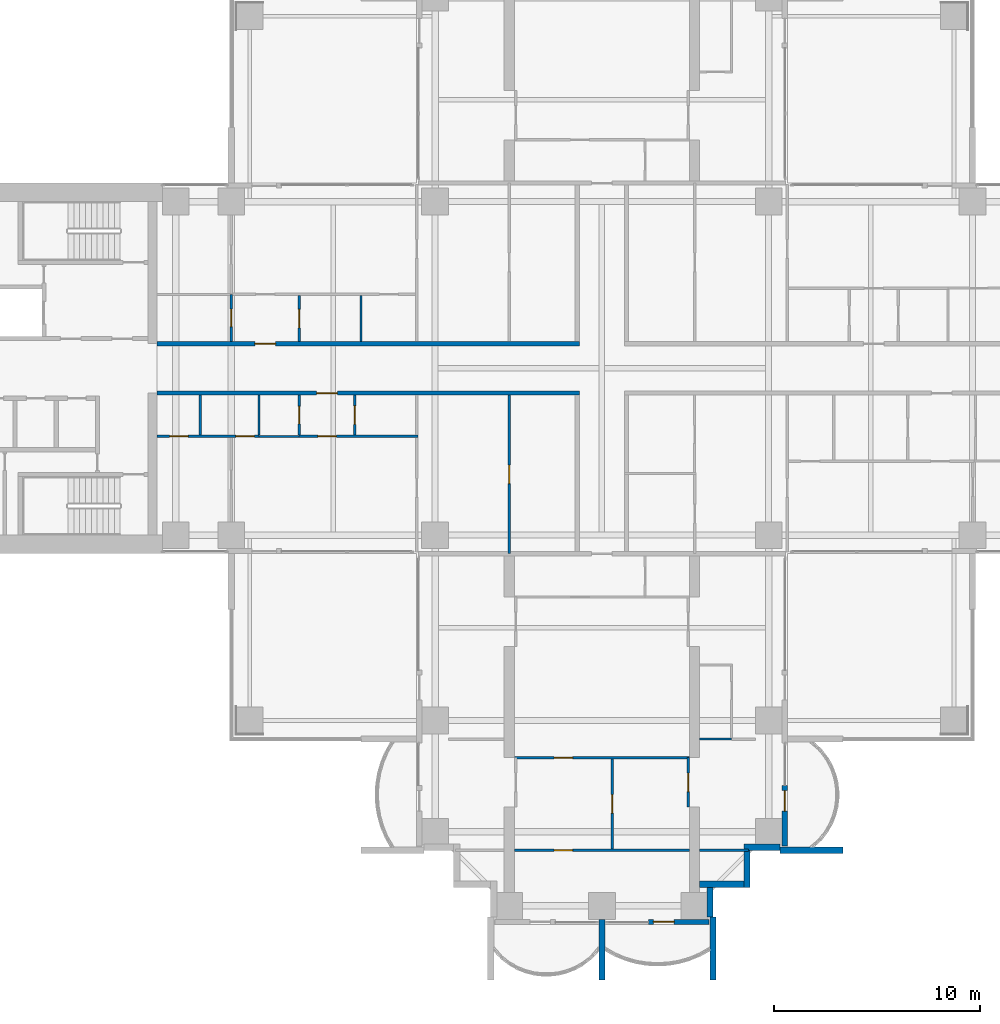
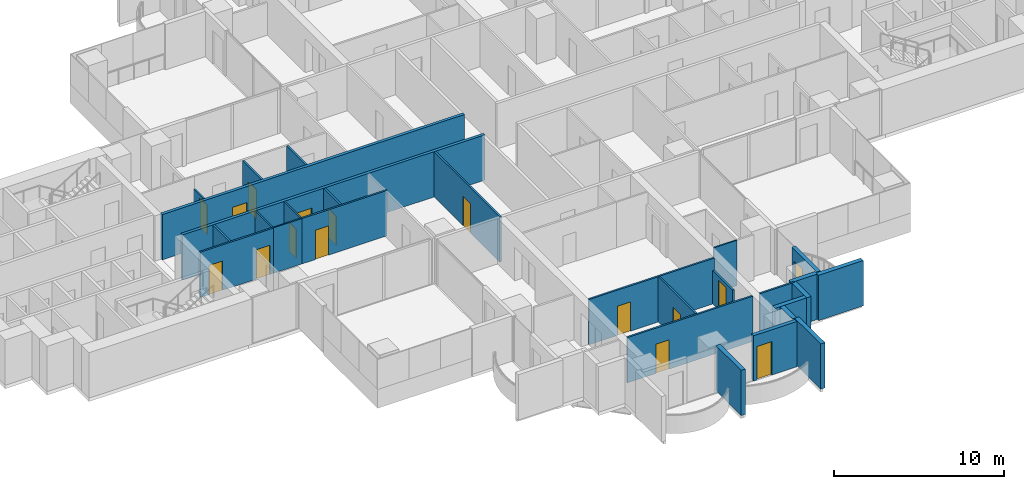
# One storey, part 11 of 20: 28 walls, 16 doors, 16 openings.
"""IFC4 building model written with IfcOpenShell, lengths in metres."""

from ifc_helpers import new_model, si_unit, direction, frame, frame_2d, origin, place, context, subcontext, project, spatial, rectangle, extrude, material, layer, layer_set, type_object, element, fill, save


model = new_model("IFC4")

# Units and contexts
model_context = context("Model", 3, precision=1e-05, world=origin(), true_north=direction((0.0, 1.0)))
body_context = subcontext(model_context, "Body", "Model", "MODEL_VIEW")
ifc_project = project(units=[si_unit("LENGTHUNIT", "METRE"), si_unit("AREAUNIT", "SQUARE_METRE"), si_unit("VOLUMEUNIT", "CUBIC_METRE"), si_unit("PLANEANGLEUNIT", "RADIAN"), si_unit("MASSUNIT", "GRAM", prefix="KILO")], contexts=[model_context])

# Site, building, storey
site_placement = place(None, origin())
site = spatial("IfcSite", under=ifc_project, at=site_placement, CompositionType="ELEMENT")
building_placement = place(site_placement, origin())
building = spatial("IfcBuilding", under=site, at=building_placement, Name="Perihelion Cross Residences", CompositionType="ELEMENT")
storey_placement = place(building_placement, frame((0.0, 0.0, 78.5)))
storey = spatial("IfcBuildingStorey", under=building, at=storey_placement, Name="L17", CompositionType="ELEMENT", Elevation=78.5)

# Wall, opening, door
ifc_material_1 = material(Name="Plasterboard partition")
ifc_layer_1 = layer(ifc_material_1, 0.199951171875)
ifc_layer_set_1 = layer_set([ifc_layer_1], Name="Apartment separation wall 200")
wall_type_1 = type_object("IfcWallType", Name="Apartment separation wall 200", PredefinedType="PARTITIONING", material=ifc_layer_set_1)
wall_1_placement = place(storey_placement, frame((-21.60009765625, 1.199951171875, 0.0), z_axis=(0.0, 0.0, 1.0), x_axis=(1.0, 0.0, 0.0)))
wall_1 = element("IfcWall", 1, at=wall_1_placement, inside=storey, type_object=wall_type_1, Name="Partition L17 W005", PredefinedType="PARTITIONING", context=body_context, shape_type="SweptSolid", body=[
    extrude(rectangle(XDim=20.5, YDim=0.199951171875, at=frame_2d((10.25, 0.0))), origin(), (0.0, 0.0, 1.0), 3.25),
])
opening_1_placement = place(wall_1_placement, frame((4.75, 0.0, 0.0)))
opening_1 = element("IfcOpeningElement", 2, at=opening_1_placement, cuts=wall_1, Name="Opening L17.A47", PredefinedType="OPENING", context=body_context, shape_type="SweptSolid", body=[
    extrude(rectangle(XDim=1.0, YDim=2.10009765625, at=frame_2d((0.5, 1.050048828125))), frame((0.0, 0.10986328125, 0.0), z_axis=(0.0, -1.0, 0.0), x_axis=(1.0, 0.0, 0.0)), (0.0, 0.0, 1.0), 0.219970703125),
])
ifc_material_2 = material(Name="Timber door leaf", Category="wood")
door_type_1 = type_object("IfcDoorType", Name="Flat entrance door 1000 x 2100", OperationType="SINGLE_SWING_LEFT", PredefinedType="DOOR", material=ifc_material_2)
door_1_placement = place(opening_1_placement, origin())
door_1 = element("IfcDoor", 3, at=door_1_placement, inside=storey, type_object=door_type_1, Name="Door L17.A47", OperationType="SINGLE_SWING_LEFT", OverallHeight=2.10009765625, OverallWidth=1.0, PredefinedType="DOOR", context=body_context, shape_type="SweptSolid", body=[
    extrude(rectangle(XDim=1.0, YDim=2.10009765625, at=frame_2d((0.5, 1.050048828125))), frame((0.0, 0.02490234375, 0.0), z_axis=(0.0, -1.0, 0.0), x_axis=(1.0, 0.0, 0.0)), (0.0, 0.0, 1.0), 0.050048828125),
])
fill(opening_1, door_1)

wall_2_placement = place(storey_placement, frame((-1.10009765625, -1.199951171875, 0.0), z_axis=(0.0, 0.0, 1.0), x_axis=(-1.0, 0.0, 0.0)))
wall_2 = element("IfcWall", 4, at=wall_2_placement, inside=storey, type_object=wall_type_1, Name="Partition L17 W007", PredefinedType="PARTITIONING", context=body_context, shape_type="SweptSolid", body=[
    extrude(rectangle(XDim=20.5, YDim=0.199951171875, at=frame_2d((10.25, 0.0))), origin(), (0.0, 0.0, 1.0), 3.25),
])
opening_2_placement = place(wall_2_placement, frame((11.75, 0.0, 0.0)))
opening_2 = element("IfcOpeningElement", 5, at=opening_2_placement, cuts=wall_2, Name="Opening L17.A48", PredefinedType="OPENING", context=body_context, shape_type="SweptSolid", body=[
    extrude(rectangle(XDim=1.0, YDim=2.10009765625, at=frame_2d((0.5, 1.050048828125))), frame((0.0, 0.10986328125, 0.0), z_axis=(0.0, -1.0, 0.0), x_axis=(1.0, 0.0, 0.0)), (0.0, 0.0, 1.0), 0.219970703125),
])
door_2_placement = place(opening_2_placement, origin())
door_2 = element("IfcDoor", 6, at=door_2_placement, inside=storey, type_object=door_type_1, Name="Door L17.A48", OperationType="SINGLE_SWING_RIGHT", OverallHeight=2.10009765625, OverallWidth=1.0, PredefinedType="DOOR", context=body_context, shape_type="SweptSolid", body=[
    extrude(rectangle(XDim=1.0, YDim=2.10009765625, at=frame_2d((0.5, 1.050048828125))), frame((0.0, 0.02490234375, 0.0), z_axis=(0.0, -1.0, 0.0), x_axis=(1.0, 0.0, 0.0)), (0.0, 0.0, 1.0), 0.050048828125),
])
fill(opening_2, door_2)

ifc_material_3 = material(Name="Concrete C30/37, bronze-clad", Category="concrete")
ifc_layer_2 = layer(ifc_material_3, 0.25)
ifc_layer_set_2 = layer_set([ifc_layer_2], Name="Bronze-clad pier wall 250")
wall_type_2 = type_object("IfcWallType", Name="Bronze-clad pier wall 250", PredefinedType="SOLIDWALL", material=ifc_layer_set_2)
wall_3_placement = place(storey_placement, frame((2.25, -26.875, 0.0), z_axis=(0.0, 0.0, 1.0), x_axis=(1.0, 0.0, 0.0)))
wall_3 = element("IfcWall", 7, at=wall_3_placement, inside=storey, type_object=wall_type_2, Name="Wall FW1 L17 south tip south bay 2 pier", PredefinedType="SOLIDWALL", context=body_context, shape_type="SweptSolid", body=[
    extrude(rectangle(XDim=2.949951171875, YDim=0.25, at=frame_2d((1.47509765625, 0.0))), origin(), (0.0, 0.0, 1.0), 3.25),
])
opening_3_placement = place(wall_3_placement, frame((0.25, 0.0, 0.0)))
opening_3 = element("IfcOpeningElement", 8, at=opening_3_placement, cuts=wall_3, Name="Opening L17.E13", PredefinedType="OPENING", context=body_context, shape_type="SweptSolid", body=[
    extrude(rectangle(XDim=1.0, YDim=2.39990234375, at=frame_2d((0.5, 1.199951171875))), frame((0.0, 0.135009765625, 0.0), z_axis=(0.0, -1.0, 0.0), x_axis=(1.0, 0.0, 0.0)), (0.0, 0.0, 1.0), 0.27001953125),
])
ifc_material_4 = material(Name="Bronze anodised aluminium, glazed", Category="aluminium")
door_type_2 = type_object("IfcDoorType", Name="Balcony door 1000 x 2400", OperationType="NOTDEFINED", PredefinedType="DOOR", material=ifc_material_4)
door_3_placement = place(opening_3_placement, origin())
door_3 = element("IfcDoor", 9, at=door_3_placement, inside=storey, type_object=door_type_2, Name="Door L17.E13 south tip south bay 2", OperationType="SINGLE_SWING_RIGHT", OverallHeight=2.39990234375, OverallWidth=1.0, PredefinedType="DOOR", context=body_context, shape_type="SweptSolid", body=[
    extrude(rectangle(XDim=1.0, YDim=2.39990234375, at=frame_2d((0.5, 1.199951171875))), frame((0.0, 0.02490234375, 0.0), z_axis=(0.0, -1.0, 0.0), x_axis=(1.0, 0.0, 0.0)), (0.0, 0.0, 1.0), 0.050048828125),
])
fill(opening_3, door_3)

wall_4_placement = place(storey_placement, frame((8.875, -23.199951171875, 0.0), z_axis=(0.0, 0.0, 1.0), x_axis=(0.0, 1.0, 0.0)))
wall_4 = element("IfcWall", 10, at=wall_4_placement, inside=storey, type_object=wall_type_2, Name="Wall FW1 L17 south side east bay 1 pier", PredefinedType="SOLIDWALL", context=body_context, shape_type="SweptSolid", body=[
    extrude(rectangle(XDim=2.949951171875, YDim=0.25, at=frame_2d((1.47509765625, 0.0))), origin(), (0.0, 0.0, 1.0), 3.25),
])
opening_4_placement = place(wall_4_placement, frame((1.699951171875, 0.0, 0.0)))
opening_4 = element("IfcOpeningElement", 11, at=opening_4_placement, cuts=wall_4, Name="Opening L17.E14", PredefinedType="OPENING", context=body_context, shape_type="SweptSolid", body=[
    extrude(rectangle(XDim=1.0, YDim=2.39990234375, at=frame_2d((0.5, 1.199951171875))), frame((0.0, 0.135009765625, 0.0), z_axis=(0.0, -1.0, 0.0), x_axis=(1.0, 0.0, 0.0)), (0.0, 0.0, 1.0), 0.27001953125),
])
door_4_placement = place(opening_4_placement, origin())
door_4 = element("IfcDoor", 12, at=door_4_placement, inside=storey, type_object=door_type_2, Name="Door L17.E14 south side east bay 1", OperationType="SINGLE_SWING_LEFT", OverallHeight=2.39990234375, OverallWidth=1.0, PredefinedType="DOOR", context=body_context, shape_type="SweptSolid", body=[
    extrude(rectangle(XDim=1.0, YDim=2.39990234375, at=frame_2d((0.5, 1.199951171875))), frame((0.0, 0.02490234375, 0.0), z_axis=(0.0, -1.0, 0.0), x_axis=(1.0, 0.0, 0.0)), (0.0, 0.0, 1.0), 0.050048828125),
])
fill(opening_4, door_4)

# Walls
ifc_material_5 = material(Name="Concrete C30/37, bronze-clad", Category="concrete")
ifc_layer_3 = layer(ifc_material_5, 0.300048828125)
ifc_layer_set_3 = layer_set([ifc_layer_3], Name="Bronze-clad serration wall 300")
wall_type_3 = type_object("IfcWallType", Name="Bronze-clad serration wall 300", PredefinedType="SOLIDWALL", material=ifc_layer_set_3)
wall_5_placement = place(storey_placement, frame((5.25, -26.64990234375, 0.0), z_axis=(0.0, 0.0, 1.0), x_axis=(0.0, 1.0, 0.0)))
element("IfcWall", 13, at=wall_5_placement, inside=storey, type_object=wall_type_3, Name="Wall SR1 L17 south corner south-east 1", PredefinedType="SOLIDWALL", context=body_context, shape_type="SweptSolid", body=[
    extrude(rectangle(XDim=1.449951171875, YDim=0.300048828125, at=frame_2d((0.72509765625, 0.0))), origin(), (0.0, 0.0, 1.0), 3.25),
])
wall_6_placement = place(storey_placement, frame((4.75, -25.050048828125, 0.0), z_axis=(0.0, 0.0, 1.0), x_axis=(1.0, 0.0, 0.0)))
element("IfcWall", 14, at=wall_6_placement, inside=storey, type_object=wall_type_3, Name="Wall SR1 L17 south corner south-east 2", PredefinedType="SOLIDWALL", context=body_context, shape_type="SweptSolid", body=[
    extrude(rectangle(XDim=2.14990234375, YDim=0.300048828125, at=frame_2d((1.074951171875, 0.0))), origin(), (0.0, 0.0, 1.0), 3.25),
])
wall_7_placement = place(storey_placement, frame((7.050048828125, -25.199951171875, 0.0), z_axis=(0.0, 0.0, 1.0), x_axis=(0.0, 1.0, 0.0)))
element("IfcWall", 15, at=wall_7_placement, inside=storey, type_object=wall_type_3, Name="Wall SR1 L17 south corner south-east 3", PredefinedType="SOLIDWALL", context=body_context, shape_type="SweptSolid", body=[
    extrude(rectangle(XDim=1.800048828125, YDim=0.300048828125, at=frame_2d((0.89990234375, 0.0))), origin(), (0.0, 0.0, 1.0), 3.25),
])
wall_8_placement = place(storey_placement, frame((6.89990234375, -23.25, 0.0), z_axis=(0.0, 0.0, 1.0), x_axis=(1.0, 0.0, 0.0)))
element("IfcWall", 16, at=wall_8_placement, inside=storey, type_object=wall_type_3, Name="Wall SR1 L17 south corner south-east 4", PredefinedType="SOLIDWALL", context=body_context, shape_type="SweptSolid", body=[
    extrude(rectangle(XDim=1.75, YDim=0.300048828125, at=frame_2d((0.875, 0.0))), origin(), (0.0, 0.0, 1.0), 3.25),
])

# Wall, opening, door
ifc_material_6 = material(Name="Plasterboard partition")
ifc_layer_4 = layer(ifc_material_6, 0.1201171875)
ifc_layer_set_4 = layer_set([ifc_layer_4], Name="Infill panel 120")
wall_type_4 = type_object("IfcWallType", Name="Infill panel 120", PredefinedType="PARTITIONING", material=ifc_layer_set_4)
wall_9_placement = place(storey_placement, frame((4.18994140625, -18.89990234375, 0.0), z_axis=(0.0, 0.0, 1.0), x_axis=(0.0, -1.0, 0.0)))
wall_9 = element("IfcWall", 17, at=wall_9_placement, inside=storey, type_object=wall_type_4, Name="Partition L17 WI06", PredefinedType="PARTITIONING", context=body_context, shape_type="SweptSolid", body=[
    extrude(rectangle(XDim=2.400146484375, YDim=0.1201171875, at=frame_2d((1.2001953125, 0.0))), origin(), (0.0, 0.0, 1.0), 2.39990234375),
])
opening_5_placement = place(wall_9_placement, frame((0.75, 0.0, 0.0)))
opening_5 = element("IfcOpeningElement", 18, at=opening_5_placement, cuts=wall_9, Name="Opening L17.A54", PredefinedType="OPENING", context=body_context, shape_type="SweptSolid", body=[
    extrude(rectangle(XDim=0.89990234375, YDim=2.10009765625, at=frame_2d((0.449951171875, 1.050048828125))), frame((0.0, 0.070068359375, 0.0), z_axis=(0.0, -1.0, 0.0), x_axis=(1.0, 0.0, 0.0)), (0.0, 0.0, 1.0), 0.14013671875),
])
ifc_material_7 = material(Name="Timber door leaf", Category="wood")
door_type_3 = type_object("IfcDoorType", Name="Interior room door 900 x 2100", OperationType="SINGLE_SWING_LEFT", PredefinedType="DOOR", material=ifc_material_7)
door_5_placement = place(opening_5_placement, origin())
door_5 = element("IfcDoor", 19, at=door_5_placement, inside=storey, type_object=door_type_3, Name="Door L17.A54", OperationType="SINGLE_SWING_LEFT", OverallHeight=2.10009765625, OverallWidth=0.89990234375, PredefinedType="DOOR", context=body_context, shape_type="SweptSolid", body=[
    extrude(rectangle(XDim=0.89990234375, YDim=2.10009765625, at=frame_2d((0.449951171875, 1.050048828125))), frame((0.0, 0.02490234375, 0.0), z_axis=(0.0, -1.0, 0.0), x_axis=(1.0, 0.0, 0.0)), (0.0, 0.0, 1.0), 0.050048828125),
])
fill(opening_5, door_5)

# Wall
ifc_material_8 = material(Name="Plasterboard partition")
ifc_layer_5 = layer(ifc_material_8, 0.1201171875)
ifc_layer_set_5 = layer_set([ifc_layer_5], Name="Partition wall 120")
wall_type_5 = type_object("IfcWallType", Name="Partition wall 120", PredefinedType="PARTITIONING", material=ifc_layer_set_5)
wall_10_placement = place(storey_placement, frame((-11.699951171875, 1.300048828125, 0.0), z_axis=(0.0, 0.0, 1.0), x_axis=(0.0, 1.0, 0.0)))
element("IfcWall", 20, at=wall_10_placement, inside=storey, type_object=wall_type_5, Name="Partition L17 W030", PredefinedType="PARTITIONING", context=body_context, shape_type="SweptSolid", body=[
    extrude(rectangle(XDim=2.239990234375, YDim=0.1201171875, at=frame_2d((1.1201171875, 0.0))), origin(), (0.0, 0.0, 1.0), 3.25),
])

# Wall, opening, door
wall_11_placement = place(storey_placement, frame((-14.699951171875, 1.300048828125, 0.0), z_axis=(0.0, 0.0, 1.0), x_axis=(0.0, 1.0, 0.0)))
wall_11 = element("IfcWall", 21, at=wall_11_placement, inside=storey, type_object=wall_type_5, Name="Partition L17 W033", PredefinedType="PARTITIONING", context=body_context, shape_type="SweptSolid", body=[
    extrude(rectangle(XDim=2.239990234375, YDim=0.1201171875, at=frame_2d((1.1201171875, 0.0))), origin(), (0.0, 0.0, 1.0), 3.25),
])
opening_6_placement = place(wall_11_placement, frame((0.669921875, 0.0, 0.0)))
opening_6 = element("IfcOpeningElement", 22, at=opening_6_placement, cuts=wall_11, Name="Opening L17.A17", PredefinedType="OPENING", context=body_context, shape_type="SweptSolid", body=[
    extrude(rectangle(XDim=0.89990234375, YDim=2.10009765625, at=frame_2d((0.449951171875, 1.050048828125))), frame((0.0, 0.070068359375, 0.0), z_axis=(0.0, -1.0, 0.0), x_axis=(1.0, 0.0, 0.0)), (0.0, 0.0, 1.0), 0.14013671875),
])
door_6_placement = place(opening_6_placement, origin())
door_6 = element("IfcDoor", 23, at=door_6_placement, inside=storey, type_object=door_type_3, Name="Door L17.A17", OperationType="SINGLE_SWING_LEFT", OverallHeight=2.10009765625, OverallWidth=0.89990234375, PredefinedType="DOOR", context=body_context, shape_type="SweptSolid", body=[
    extrude(rectangle(XDim=0.89990234375, YDim=2.10009765625, at=frame_2d((0.449951171875, 1.050048828125))), frame((0.0, 0.02490234375, 0.0), z_axis=(0.0, -1.0, 0.0), x_axis=(1.0, 0.0, 0.0)), (0.0, 0.0, 1.0), 0.050048828125),
])
fill(opening_6, door_6)

wall_12_placement = place(storey_placement, frame((-12.0, -3.239990234375, 0.0), z_axis=(0.0, 0.0, 1.0), x_axis=(0.0, 1.0, 0.0)))
wall_12 = element("IfcWall", 24, at=wall_12_placement, inside=storey, type_object=wall_type_5, Name="Partition L17 W038", PredefinedType="PARTITIONING", context=body_context, shape_type="SweptSolid", body=[
    extrude(rectangle(XDim=1.93994140625, YDim=0.1201171875, at=frame_2d((0.969970703125, 0.0))), origin(), (0.0, 0.0, 1.0), 3.25),
])
opening_7_placement = place(wall_12_placement, frame((0.52001953125, 0.0, 0.0)))
opening_7 = element("IfcOpeningElement", 25, at=opening_7_placement, cuts=wall_12, Name="Opening L17.A24", PredefinedType="OPENING", context=body_context, shape_type="SweptSolid", body=[
    extrude(rectangle(XDim=0.89990234375, YDim=2.10009765625, at=frame_2d((0.449951171875, 1.050048828125))), frame((0.0, 0.070068359375, 0.0), z_axis=(0.0, -1.0, 0.0), x_axis=(1.0, 0.0, 0.0)), (0.0, 0.0, 1.0), 0.14013671875),
])
door_7_placement = place(opening_7_placement, origin())
door_7 = element("IfcDoor", 26, at=door_7_placement, inside=storey, type_object=door_type_3, Name="Door L17.A24", OperationType="SINGLE_SWING_RIGHT", OverallHeight=2.10009765625, OverallWidth=0.89990234375, PredefinedType="DOOR", context=body_context, shape_type="SweptSolid", body=[
    extrude(rectangle(XDim=0.89990234375, YDim=2.10009765625, at=frame_2d((0.449951171875, 1.050048828125))), frame((0.0, 0.02490234375, 0.0), z_axis=(0.0, -1.0, 0.0), x_axis=(1.0, 0.0, 0.0)), (0.0, 0.0, 1.0), 0.050048828125),
])
fill(opening_7, door_7)

wall_13_placement = place(storey_placement, frame((-8.93994140625, -3.300048828125, 0.0), z_axis=(0.0, 0.0, 1.0), x_axis=(-1.0, 0.0, 0.0)))
wall_13 = element("IfcWall", 27, at=wall_13_placement, inside=storey, type_object=wall_type_5, Name="Partition L17 W039", PredefinedType="PARTITIONING", context=body_context, shape_type="SweptSolid", body=[
    extrude(rectangle(XDim=5.760009765625, YDim=0.1201171875, at=frame_2d((2.8798828125, 0.0))), origin(), (0.0, 0.0, 1.0), 3.25),
])
opening_8_placement = place(wall_13_placement, frame((3.9599609375, 0.0, 0.0)))
opening_8 = element("IfcOpeningElement", 28, at=opening_8_placement, cuts=wall_13, Name="Opening L17.A26", PredefinedType="OPENING", context=body_context, shape_type="SweptSolid", body=[
    extrude(rectangle(XDim=0.89990234375, YDim=2.10009765625, at=frame_2d((0.449951171875, 1.050048828125))), frame((0.0, 0.070068359375, 0.0), z_axis=(0.0, -1.0, 0.0), x_axis=(1.0, 0.0, 0.0)), (0.0, 0.0, 1.0), 0.14013671875),
])
door_8_placement = place(opening_8_placement, origin())
door_8 = element("IfcDoor", 29, at=door_8_placement, inside=storey, type_object=door_type_3, Name="Door L17.A26", OperationType="SINGLE_SWING_RIGHT", OverallHeight=2.10009765625, OverallWidth=0.89990234375, PredefinedType="DOOR", context=body_context, shape_type="SweptSolid", body=[
    extrude(rectangle(XDim=0.89990234375, YDim=2.10009765625, at=frame_2d((0.449951171875, 1.050048828125))), frame((0.0, 0.02490234375, 0.0), z_axis=(0.0, -1.0, 0.0), x_axis=(1.0, 0.0, 0.0)), (0.0, 0.0, 1.0), 0.050048828125),
])
fill(opening_8, door_8)

# Wall
wall_14_placement = place(storey_placement, frame((-19.5, -3.239990234375, 0.0), z_axis=(0.0, 0.0, 1.0), x_axis=(0.0, 1.0, 0.0)))
element("IfcWall", 30, at=wall_14_placement, inside=storey, type_object=wall_type_5, Name="Partition L17 W044", PredefinedType="PARTITIONING", context=body_context, shape_type="SweptSolid", body=[
    extrude(rectangle(XDim=1.93994140625, YDim=0.1201171875, at=frame_2d((0.969970703125, 0.0))), origin(), (0.0, 0.0, 1.0), 3.25),
])

# Wall, openings, doors
wall_15_placement = place(storey_placement, frame((-16.64990234375, -3.300048828125, 0.0), z_axis=(0.0, 0.0, 1.0), x_axis=(-1.0, 0.0, 0.0)))
wall_15 = element("IfcWall", 31, at=wall_15_placement, inside=storey, type_object=wall_type_5, Name="Partition L17 W045", PredefinedType="PARTITIONING", context=body_context, shape_type="SweptSolid", body=[
    extrude(rectangle(XDim=4.9501953125, YDim=0.1201171875, at=frame_2d((2.47509765625, 0.0))), origin(), (0.0, 0.0, 1.0), 3.25),
])
opening_9_placement = place(wall_15_placement, frame((0.22509765625, 0.0, 0.0)))
opening_9 = element("IfcOpeningElement", 32, at=opening_9_placement, cuts=wall_15, Name="Opening L17.A25", PredefinedType="OPENING", context=body_context, shape_type="SweptSolid", body=[
    extrude(rectangle(XDim=0.89990234375, YDim=2.10009765625, at=frame_2d((0.449951171875, 1.050048828125))), frame((0.0, 0.070068359375, 0.0), z_axis=(0.0, -1.0, 0.0), x_axis=(1.0, 0.0, 0.0)), (0.0, 0.0, 1.0), 0.14013671875),
])
opening_10_placement = place(wall_15_placement, frame((3.449951171875, 0.0, 0.0)))
opening_10 = element("IfcOpeningElement", 33, at=opening_10_placement, cuts=wall_15, Name="Opening L17.A28", PredefinedType="OPENING", context=body_context, shape_type="SweptSolid", body=[
    extrude(rectangle(XDim=0.89990234375, YDim=2.10009765625, at=frame_2d((0.449951171875, 1.050048828125))), frame((0.0, 0.070068359375, 0.0), z_axis=(0.0, -1.0, 0.0), x_axis=(1.0, 0.0, 0.0)), (0.0, 0.0, 1.0), 0.14013671875),
])
door_9_placement = place(opening_9_placement, origin())
door_9 = element("IfcDoor", 34, at=door_9_placement, inside=storey, type_object=door_type_3, Name="Door L17.A25", OperationType="SINGLE_SWING_RIGHT", OverallHeight=2.10009765625, OverallWidth=0.89990234375, PredefinedType="DOOR", context=body_context, shape_type="SweptSolid", body=[
    extrude(rectangle(XDim=0.89990234375, YDim=2.10009765625, at=frame_2d((0.449951171875, 1.050048828125))), frame((0.0, 0.02490234375, 0.0), z_axis=(0.0, -1.0, 0.0), x_axis=(1.0, 0.0, 0.0)), (0.0, 0.0, 1.0), 0.050048828125),
])
fill(opening_9, door_9)
door_10_placement = place(opening_10_placement, origin())
door_10 = element("IfcDoor", 35, at=door_10_placement, inside=storey, type_object=door_type_3, Name="Door L17.A28", OperationType="SINGLE_SWING_LEFT", OverallHeight=2.10009765625, OverallWidth=0.89990234375, PredefinedType="DOOR", context=body_context, shape_type="SweptSolid", body=[
    extrude(rectangle(XDim=0.89990234375, YDim=2.10009765625, at=frame_2d((0.449951171875, 1.050048828125))), frame((0.0, 0.02490234375, 0.0), z_axis=(0.0, -1.0, 0.0), x_axis=(1.0, 0.0, 0.0)), (0.0, 0.0, 1.0), 0.050048828125),
])
fill(opening_10, door_10)

# Wall, opening, door
wall_16_placement = place(storey_placement, frame((-4.5, -1.300048828125, 0.0), z_axis=(0.0, 0.0, 1.0), x_axis=(0.0, -1.0, 0.0)))
wall_16 = element("IfcWall", 36, at=wall_16_placement, inside=storey, type_object=wall_type_5, Name="Partition L17 W047", PredefinedType="PARTITIONING", context=body_context, shape_type="SweptSolid", body=[
    extrude(rectangle(XDim=7.699951171875, YDim=0.1201171875, at=frame_2d((3.85009765625, 0.0))), origin(), (0.0, 0.0, 1.0), 3.25),
])
opening_11_placement = place(wall_16_placement, frame((3.39990234375, 0.0, 0.0)))
opening_11 = element("IfcOpeningElement", 37, at=opening_11_placement, cuts=wall_16, Name="Opening L17.A23", PredefinedType="OPENING", context=body_context, shape_type="SweptSolid", body=[
    extrude(rectangle(XDim=0.89990234375, YDim=2.10009765625, at=frame_2d((0.449951171875, 1.050048828125))), frame((0.0, 0.070068359375, 0.0), z_axis=(0.0, -1.0, 0.0), x_axis=(1.0, 0.0, 0.0)), (0.0, 0.0, 1.0), 0.14013671875),
])
door_11_placement = place(opening_11_placement, origin())
door_11 = element("IfcDoor", 38, at=door_11_placement, inside=storey, type_object=door_type_3, Name="Door L17.A23", OperationType="SINGLE_SWING_RIGHT", OverallHeight=2.10009765625, OverallWidth=0.89990234375, PredefinedType="DOOR", context=body_context, shape_type="SweptSolid", body=[
    extrude(rectangle(XDim=0.89990234375, YDim=2.10009765625, at=frame_2d((0.449951171875, 1.050048828125))), frame((0.0, 0.02490234375, 0.0), z_axis=(0.0, -1.0, 0.0), x_axis=(1.0, 0.0, 0.0)), (0.0, 0.0, 1.0), 0.050048828125),
])
fill(opening_11, door_11)

wall_17_placement = place(storey_placement, frame((4.25, -18.89990234375, 0.0), z_axis=(0.0, 0.0, 1.0), x_axis=(-1.0, 0.0, 0.0)))
wall_17 = element("IfcWall", 39, at=wall_17_placement, inside=storey, type_object=wall_type_5, Name="Partition L17 W064", PredefinedType="PARTITIONING", context=body_context, shape_type="SweptSolid", body=[
    extrude(rectangle(XDim=8.5, YDim=0.1201171875, at=frame_2d((4.25, 0.0))), origin(), (0.0, 0.0, 1.0), 3.25),
])
opening_12_placement = place(wall_17_placement, frame((5.675048828125, 0.0, 0.0)))
opening_12 = element("IfcOpeningElement", 40, at=opening_12_placement, cuts=wall_17, Name="Opening L17.A41", PredefinedType="OPENING", context=body_context, shape_type="SweptSolid", body=[
    extrude(rectangle(XDim=0.89990234375, YDim=2.10009765625, at=frame_2d((0.449951171875, 1.050048828125))), frame((0.0, 0.070068359375, 0.0), z_axis=(0.0, -1.0, 0.0), x_axis=(1.0, 0.0, 0.0)), (0.0, 0.0, 1.0), 0.14013671875),
])
door_12_placement = place(opening_12_placement, origin())
door_12 = element("IfcDoor", 41, at=door_12_placement, inside=storey, type_object=door_type_3, Name="Door L17.A41", OperationType="SINGLE_SWING_RIGHT", OverallHeight=2.10009765625, OverallWidth=0.89990234375, PredefinedType="DOOR", context=body_context, shape_type="SweptSolid", body=[
    extrude(rectangle(XDim=0.89990234375, YDim=2.10009765625, at=frame_2d((0.449951171875, 1.050048828125))), frame((0.0, 0.02490234375, 0.0), z_axis=(0.0, -1.0, 0.0), x_axis=(1.0, 0.0, 0.0)), (0.0, 0.0, 1.0), 0.050048828125),
])
fill(opening_12, door_12)

wall_18_placement = place(storey_placement, frame((0.5, -18.9599609375, 0.0), z_axis=(0.0, 0.0, 1.0), x_axis=(0.0, -1.0, 0.0)))
wall_18 = element("IfcWall", 42, at=wall_18_placement, inside=storey, type_object=wall_type_5, Name="Partition L17 W065", PredefinedType="PARTITIONING", context=body_context, shape_type="SweptSolid", body=[
    extrude(rectangle(XDim=4.380126953125, YDim=0.1201171875, at=frame_2d((2.18994140625, 0.0))), origin(), (0.0, 0.0, 1.0), 3.25),
])
opening_13_placement = place(wall_18_placement, frame((1.739990234375, 0.0, 0.0)))
opening_13 = element("IfcOpeningElement", 43, at=opening_13_placement, cuts=wall_18, Name="Opening L17.A42", PredefinedType="OPENING", context=body_context, shape_type="SweptSolid", body=[
    extrude(rectangle(XDim=0.89990234375, YDim=2.10009765625, at=frame_2d((0.449951171875, 1.050048828125))), frame((0.0, 0.070068359375, 0.0), z_axis=(0.0, -1.0, 0.0), x_axis=(1.0, 0.0, 0.0)), (0.0, 0.0, 1.0), 0.14013671875),
])
door_13_placement = place(opening_13_placement, origin())
door_13 = element("IfcDoor", 44, at=door_13_placement, inside=storey, type_object=door_type_3, Name="Door L17.A42", OperationType="SINGLE_SWING_RIGHT", OverallHeight=2.10009765625, OverallWidth=0.89990234375, PredefinedType="DOOR", context=body_context, shape_type="SweptSolid", body=[
    extrude(rectangle(XDim=0.89990234375, YDim=2.10009765625, at=frame_2d((0.449951171875, 1.050048828125))), frame((0.0, 0.02490234375, 0.0), z_axis=(0.0, -1.0, 0.0), x_axis=(1.0, 0.0, 0.0)), (0.0, 0.0, 1.0), 0.050048828125),
])
fill(opening_13, door_13)

wall_19_placement = place(storey_placement, frame((4.25, -23.39990234375, 0.0), z_axis=(0.0, 0.0, 1.0), x_axis=(-1.0, 0.0, 0.0)))
wall_19 = element("IfcWall", 45, at=wall_19_placement, inside=storey, type_object=wall_type_5, Name="Partition L17 W066", PredefinedType="PARTITIONING", context=body_context, shape_type="SweptSolid", body=[
    extrude(rectangle(XDim=8.5, YDim=0.1201171875, at=frame_2d((4.25, 0.0))), origin(), (0.0, 0.0, 1.0), 3.25),
])
opening_14_placement = place(wall_19_placement, frame((5.675048828125, 0.0, 0.0)))
opening_14 = element("IfcOpeningElement", 46, at=opening_14_placement, cuts=wall_19, Name="Opening L17.A43", PredefinedType="OPENING", context=body_context, shape_type="SweptSolid", body=[
    extrude(rectangle(XDim=0.89990234375, YDim=2.10009765625, at=frame_2d((0.449951171875, 1.050048828125))), frame((0.0, 0.070068359375, 0.0), z_axis=(0.0, -1.0, 0.0), x_axis=(1.0, 0.0, 0.0)), (0.0, 0.0, 1.0), 0.14013671875),
])
door_14_placement = place(opening_14_placement, origin())
door_14 = element("IfcDoor", 47, at=door_14_placement, inside=storey, type_object=door_type_3, Name="Door L17.A43", OperationType="SINGLE_SWING_LEFT", OverallHeight=2.10009765625, OverallWidth=0.89990234375, PredefinedType="DOOR", context=body_context, shape_type="SweptSolid", body=[
    extrude(rectangle(XDim=0.89990234375, YDim=2.10009765625, at=frame_2d((0.449951171875, 1.050048828125))), frame((0.0, 0.02490234375, 0.0), z_axis=(0.0, -1.0, 0.0), x_axis=(1.0, 0.0, 0.0)), (0.0, 0.0, 1.0), 0.050048828125),
])
fill(opening_14, door_14)

# Walls
wall_20_placement = place(storey_placement, frame((7.1201171875, -23.39990234375, 0.0), z_axis=(0.0, 0.0, 1.0), x_axis=(-1.0, 0.0, 0.0)))
element("IfcWall", 48, at=wall_20_placement, inside=storey, type_object=wall_type_5, Name="Partition L17 W071", PredefinedType="PARTITIONING", context=body_context, shape_type="SweptSolid", body=[
    extrude(rectangle(XDim=2.3701171875, YDim=0.1201171875, at=frame_2d((1.18505859375, 0.0))), origin(), (0.0, 0.0, 1.0), 3.25),
])
ifc_material_9 = material(Name="Precast concrete C50/60", Category="concrete")
ifc_layer_6 = layer(ifc_material_9, 0.300048828125)
ifc_layer_set_6 = layer_set([ifc_layer_6], Name="Precast concrete C50/60 blade wall 300")
wall_type_6 = type_object("IfcWallType", Name="Precast concrete C50/60 blade wall 300", PredefinedType="SOLIDWALL", material=ifc_layer_set_6)
wall_21_placement = place(storey_placement, frame((0.0, -26.75, 0.0), z_axis=(0.0, 0.0, 1.0), x_axis=(0.0, -1.0, 0.0)))
element("IfcWall", 49, at=wall_21_placement, inside=storey, type_object=wall_type_6, Name="Wall BL1 L17 no. 9", PredefinedType="SOLIDWALL", context=body_context, shape_type="SweptSolid", body=[
    extrude(rectangle(XDim=2.949951171875, YDim=0.300048828125, at=frame_2d((1.47509765625, 0.0))), origin(), (0.0, 0.0, 1.0), 3.25),
])
for number, where, z_axis, x_axis, name in (
    (50, (5.39990234375, -26.64990234375, 0.0), (0.0, 0.0, 1.0), (0.0, -1.0, 0.0), "Wall BL1 L17 no. 13"),
    (51, (8.64990234375, -23.39990234375, 0.0), (0.0, 0.0, 1.0), (1.0, 0.0, 0.0), "Wall BL1 L17 no. 16"),
):
    element("IfcWall", number, at=place(storey_placement, frame(where, z_axis=z_axis, x_axis=x_axis)), inside=storey, type_object=wall_type_6, Name=name, PredefinedType="SOLIDWALL", context=body_context, shape_type="SweptSolid", body=[
        extrude(rectangle(XDim=3.050048828125, YDim=0.300048828125, at=frame_2d((1.52490234375, 0.0))), origin(), (0.0, 0.0, 1.0), 3.25),
    ])

# Wall, opening, door
ifc_material_10 = material(Name="Plasterboard partition")
ifc_layer_7 = layer(ifc_material_10, 0.10009765625)
ifc_layer_set_7 = layer_set([ifc_layer_7], Name="Wet room wall 100")
wall_type_7 = type_object("IfcWallType", Name="Wet room wall 100", PredefinedType="PARTITIONING", material=ifc_layer_set_7)
wall_22_placement = place(storey_placement, frame((-18.0, 1.300048828125, 0.0), z_axis=(0.0, 0.0, 1.0), x_axis=(0.0, 1.0, 0.0)))
wall_22 = element("IfcWall", 52, at=wall_22_placement, inside=storey, type_object=wall_type_7, Name="Partition L17 W034", PredefinedType="PARTITIONING", context=body_context, shape_type="SweptSolid", body=[
    extrude(rectangle(XDim=2.300048828125, YDim=0.10009765625, at=frame_2d((1.14990234375, 0.0))), origin(), (0.0, 0.0, 1.0), 2.345947265625),
])
opening_15_placement = place(wall_22_placement, frame((0.72509765625, 0.0, 0.0)))
opening_15 = element("IfcOpeningElement", 53, at=opening_15_placement, cuts=wall_22, Name="Opening L17.A16", PredefinedType="OPENING", context=body_context, shape_type="SweptSolid", body=[
    extrude(rectangle(XDim=0.85009765625, YDim=2.10009765625, at=frame_2d((0.425048828125, 1.050048828125))), frame((0.0, 0.06005859375, 0.0), z_axis=(0.0, -1.0, 0.0), x_axis=(1.0, 0.0, 0.0)), (0.0, 0.0, 1.0), 0.1201171875),
])
ifc_material_11 = material(Name="Timber door leaf", Category="wood")
door_type_4 = type_object("IfcDoorType", Name="Interior bathroom door 850 x 2100", OperationType="SINGLE_SWING_LEFT", PredefinedType="DOOR", material=ifc_material_11)
door_15_placement = place(opening_15_placement, origin())
door_15 = element("IfcDoor", 54, at=door_15_placement, inside=storey, type_object=door_type_4, Name="Door L17.A16", OperationType="SINGLE_SWING_LEFT", OverallHeight=2.10009765625, OverallWidth=0.85009765625, PredefinedType="DOOR", context=body_context, shape_type="SweptSolid", body=[
    extrude(rectangle(XDim=0.85009765625, YDim=2.10009765625, at=frame_2d((0.425048828125, 1.050048828125))), frame((0.0, 0.02490234375, 0.0), z_axis=(0.0, -1.0, 0.0), x_axis=(1.0, 0.0, 0.0)), (0.0, 0.0, 1.0), 0.050048828125),
])
fill(opening_15, door_15)

wall_23_placement = place(storey_placement, frame((-14.699951171875, -3.239990234375, 0.0), z_axis=(0.0, 0.0, 1.0), x_axis=(0.0, 1.0, 0.0)))
wall_23 = element("IfcWall", 55, at=wall_23_placement, inside=storey, type_object=wall_type_7, Name="Partition L17 W041", PredefinedType="PARTITIONING", context=body_context, shape_type="SweptSolid", body=[
    extrude(rectangle(XDim=1.93994140625, YDim=0.10009765625, at=frame_2d((0.969970703125, 0.0))), origin(), (0.0, 0.0, 1.0), 3.25),
])
opening_16_placement = place(wall_23_placement, frame((0.544921875, 0.0, 0.0)))
opening_16 = element("IfcOpeningElement", 56, at=opening_16_placement, cuts=wall_23, Name="Opening L17.A29", PredefinedType="OPENING", context=body_context, shape_type="SweptSolid", body=[
    extrude(rectangle(XDim=0.85009765625, YDim=2.10009765625, at=frame_2d((0.425048828125, 1.050048828125))), frame((0.0, 0.06005859375, 0.0), z_axis=(0.0, -1.0, 0.0), x_axis=(1.0, 0.0, 0.0)), (0.0, 0.0, 1.0), 0.1201171875),
])
door_16_placement = place(opening_16_placement, origin())
door_16 = element("IfcDoor", 57, at=door_16_placement, inside=storey, type_object=door_type_4, Name="Door L17.A29", OperationType="SINGLE_SWING_RIGHT", OverallHeight=2.10009765625, OverallWidth=0.85009765625, PredefinedType="DOOR", context=body_context, shape_type="SweptSolid", body=[
    extrude(rectangle(XDim=0.85009765625, YDim=2.10009765625, at=frame_2d((0.425048828125, 1.050048828125))), frame((0.0, 0.02490234375, 0.0), z_axis=(0.0, -1.0, 0.0), x_axis=(1.0, 0.0, 0.0)), (0.0, 0.0, 1.0), 0.050048828125),
])
fill(opening_16, door_16)

# Walls
wall_24_placement = place(storey_placement, frame((-16.64990234375, -3.239990234375, 0.0), z_axis=(0.0, 0.0, 1.0), x_axis=(0.0, 1.0, 0.0)))
element("IfcWall", 58, at=wall_24_placement, inside=storey, type_object=wall_type_7, Name="Partition L17 W042", PredefinedType="PARTITIONING", context=body_context, shape_type="SweptSolid", body=[
    extrude(rectangle(XDim=1.93994140625, YDim=0.10009765625, at=frame_2d((0.969970703125, 0.0))), origin(), (0.0, 0.0, 1.0), 3.25),
])
wall_25_placement = place(storey_placement, frame((-14.699951171875, -3.300048828125, 0.0), z_axis=(0.0, 0.0, 1.0), x_axis=(-1.0, 0.0, 0.0)))
element("IfcWall", 59, at=wall_25_placement, inside=storey, type_object=wall_type_7, Name="Partition L17 W043", PredefinedType="PARTITIONING", context=body_context, shape_type="SweptSolid", body=[
    extrude(rectangle(XDim=1.949951171875, YDim=0.10009765625, at=frame_2d((0.97509765625, 0.0))), origin(), (0.0, 0.0, 1.0), 3.25),
])
wall_26_placement = place(storey_placement, frame((6.300048828125, -18.0, 0.0), z_axis=(0.0, 0.0, 1.0), x_axis=(-1.0, 0.0, 0.0)))
element("IfcWall", 60, at=wall_26_placement, inside=storey, type_object=wall_type_7, Name="Partition L17 W070", PredefinedType="PARTITIONING", context=body_context, shape_type="SweptSolid", body=[
    extrude(rectangle(XDim=1.550048828125, YDim=0.10009765625, at=frame_2d((0.77490234375, 0.0))), origin(), (0.0, 0.0, 1.0), 3.25),
])

save(model, "model.ifc")
